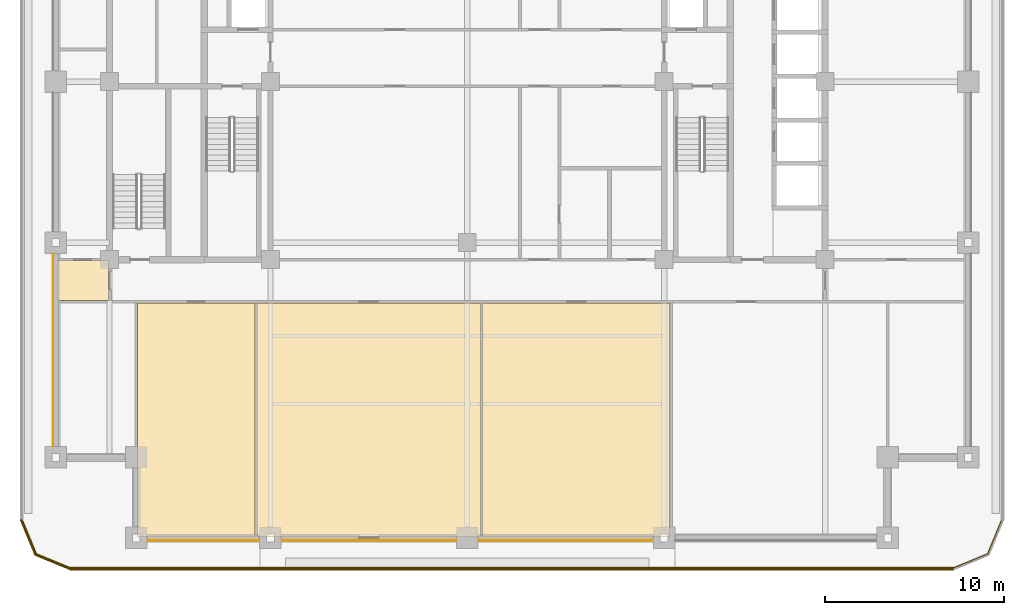
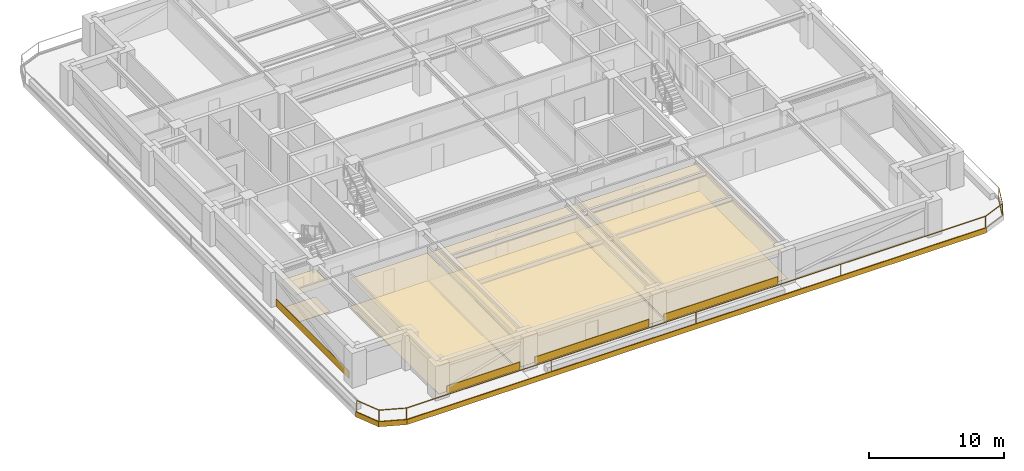
# One storey, part 7 of 13: 15 coverings, 1 railing.
"""IFC4 building model written with IfcOpenShell, lengths in metres."""

from ifc_helpers import new_model, si_unit, direction, frame, frame_2d, origin, origin_2d, place, context, subcontext, project, spatial, polyline, rectangle, outline, extrude, material, layer, layer_set, type_object, element, save


model = new_model("IFC4")

# Units and contexts
model_context = context("Model", 3, precision=1e-05, world=origin(), true_north=direction((0.0, 1.0)))
body_context = subcontext(model_context, "Body", "Model", "MODEL_VIEW")
ifc_project = project(units=[si_unit("LENGTHUNIT", "METRE"), si_unit("AREAUNIT", "SQUARE_METRE"), si_unit("VOLUMEUNIT", "CUBIC_METRE"), si_unit("PLANEANGLEUNIT", "RADIAN"), si_unit("MASSUNIT", "GRAM", prefix="KILO")], contexts=[model_context])

# Site, building, storey
site_placement = place(None, origin())
site = spatial("IfcSite", under=ifc_project, at=site_placement, CompositionType="ELEMENT")
building_placement = place(site_placement, origin())
building = spatial("IfcBuilding", under=site, at=building_placement, Name="Zulmaris Gate Convention Tower", CompositionType="ELEMENT")
storey_placement = place(building_placement, frame((0.0, 0.0, 112.780029296875)))
storey = spatial("IfcBuildingStorey", under=building, at=storey_placement, Name="L28", CompositionType="ELEMENT", Elevation=112.780029296875)

# Coverings
ifc_material_1 = material(Name="Precast concrete C40/50", Category="concrete")
ifc_layer_1 = layer(ifc_material_1, 0.0400390625, Name="Precast concrete C40/50")
ifc_layer_set_1 = layer_set([ifc_layer_1], Name="Precast concrete C40/50")
covering_type_1 = type_object("IfcCoveringType", Name="CLAD-SPANDREL-PRECAST", PredefinedType="CLADDING", material=ifc_layer_set_1)
covering_1_placement = place(storey_placement, frame((-17.8701171875, -25.64990234375, 0.0), z_axis=(0.0, 0.0, 1.0), x_axis=(1.0, 0.0, 0.0)))
element("IfcCovering", 1, at=covering_1_placement, inside=storey, type_object=covering_type_1, Name="CLD-L28-S-0_0", PredefinedType="CLADDING", context=body_context, shape_type="SweptSolid", body=[
    extrude(rectangle(XDim=6.240234375, YDim=0.0400390625, at=frame_2d((3.1201171875, 0.0))), origin(), (0.0, 0.0, 1.0), 0.679931640625),
])
for number, where, z_axis, x_axis, name in (
    (2, (-10.3701171875, -25.64990234375, 0.0), (0.0, 0.0, 1.0), (1.0, 0.0, 0.0), "CLD-L28-S-1_0"),
    (3, (0.6298828125, -25.64990234375, 0.0), (0.0, 0.0, 1.0), (1.0, 0.0, 0.0), "CLD-L28-S-2_0"),
):
    element("IfcCovering", number, at=place(storey_placement, frame(where, z_axis=z_axis, x_axis=x_axis)), inside=storey, type_object=covering_type_1, Name=name, PredefinedType="CLADDING", context=body_context, shape_type="SweptSolid", body=[
        extrude(rectangle(XDim=9.740234375, YDim=0.0400390625, at=frame_2d((4.8701171875, 0.0))), origin(), (0.0, 0.0, 1.0), 0.679931640625),
    ])
covering_2_placement = place(storey_placement, frame((-23.14990234375, -9.6298828125, 0.0), z_axis=(0.0, 0.0, 1.0), x_axis=(0.0, -1.0, 0.0)))
element("IfcCovering", 4, at=covering_2_placement, inside=storey, type_object=covering_type_1, Name="CLD-L28-W-0_0", PredefinedType="CLADDING", context=body_context, shape_type="SweptSolid", body=[
    extrude(rectangle(XDim=10.740234375, YDim=0.0400390625, at=frame_2d((5.3701171875, 0.0))), origin(), (0.0, 0.0, 1.0), 0.679931640625),
])
ifc_material_2 = material(Name="White Glazed Architectural Precast Concrete C40/50", Category="concrete")
ifc_layer_2 = layer(ifc_material_2, 0.080078125, Name="White Glazed Architectural Precast Concrete C40/50")
ifc_layer_set_2 = layer_set([ifc_layer_2], Name="White Glazed Architectural Precast Concrete C40/50")
covering_type_2 = type_object("IfcCoveringType", Name="CLAD-TRAY-FASCIA", PredefinedType="CLADDING", material=ifc_layer_set_2)
covering_3_placement = place(storey_placement, frame((-24.962890625, -24.484619140625, -0.2900390625), z_axis=(0.0, 0.0, 1.0), x_axis=(0.382656984709, -0.923890487046, 0.0)))
element("IfcCovering", 5, at=covering_3_placement, inside=storey, type_object=covering_type_2, Name="FSC-L28-TR-00", PredefinedType="CLADDING", context=body_context, shape_type="SweptSolid", body=[
    extrude(rectangle(XDim=2.14306640625, YDim=0.080078125, at=frame_2d((1.071533203125, 0.0))), origin(), (0.0, 0.0, 1.0), 0.4599609375),
])
covering_4_placement = place(storey_placement, frame((-24.16455078125, -26.44287109375, -0.2900390625), z_axis=(0.0, 0.0, 1.0), x_axis=(0.923873803533, -0.382697263049, 0.0)))
element("IfcCovering", 6, at=covering_4_placement, inside=storey, type_object=covering_type_2, Name="FSC-L28-TR-01", PredefinedType="CLADDING", context=body_context, shape_type="SweptSolid", body=[
    extrude(rectangle(XDim=2.142822265625, YDim=0.080078125, at=frame_2d((1.0712890625, 0.0))), origin(), (0.0, 0.0, 1.0), 0.4599609375),
])
covering_5_placement = place(storey_placement, frame((-22.199951171875, -27.260009765625, -0.2900390625), z_axis=(0.0, 0.0, 1.0), x_axis=(1.0, 0.0, 0.0)))
element("IfcCovering", 7, at=covering_5_placement, inside=storey, type_object=covering_type_2, Name="FSC-L28-TR-02", PredefinedType="CLADDING", context=body_context, shape_type="SweptSolid", body=[
    extrude(rectangle(XDim=49.39990234375, YDim=0.080078125, at=frame_2d((24.699951171875, 0.0))), origin(), (0.0, 0.0, 1.0), 0.4599609375),
])
ifc_material_3 = material(Name="Mineral Fibre Acoustic Ceiling Tile")
ifc_layer_3 = layer(ifc_material_3, 0.02001953125, Name="Mineral Fibre Acoustic Ceiling Tile")
ifc_layer_set_3 = layer_set([ifc_layer_3], Name="Mineral Fibre Acoustic Ceiling Tile")
covering_type_3 = type_object("IfcCoveringType", Name="CLG-ACOUSTIC-600", PredefinedType="CEILING", material=ifc_layer_set_3)
covering_6_placement = place(storey_placement, frame((0.0, 0.0, 2.5048828125)))
element("IfcCovering", 8, at=covering_6_placement, inside=storey, type_object=covering_type_3, Name="CLG-L28-R37", PredefinedType="CEILING", context=body_context, shape_type="SweptSolid", body=[
    extrude(outline(polyline([(-18.43994140625, -25.43994140625), (-11.860107421875, -25.43994140625), (-11.860107421875, -12.360107421875), (-18.43994140625, -12.360107421875), (-18.43994140625, -25.43994140625)])), origin(), (0.0, 0.0, 1.0), 0.02001953125),
])
covering_7_placement = place(storey_placement, frame((0.0, 0.0, 2.5048828125)))
element("IfcCovering", 9, at=covering_7_placement, inside=storey, type_object=covering_type_3, Name="CLG-L28-R38", PredefinedType="CEILING", context=body_context, shape_type="SweptSolid", body=[
    extrude(outline(polyline([(-11.739990234375, -25.43994140625), (0.739990234375, -25.43994140625), (0.739990234375, -12.360107421875), (-11.739990234375, -12.360107421875), (-11.739990234375, -25.43994140625)])), origin(), (0.0, 0.0, 1.0), 0.02001953125),
])
covering_8_placement = place(storey_placement, frame((0.0, 0.0, 2.5048828125)))
element("IfcCovering", 10, at=covering_8_placement, inside=storey, type_object=covering_type_3, Name="CLG-L28-R39", PredefinedType="CEILING", context=body_context, shape_type="SweptSolid", body=[
    extrude(outline(polyline([(0.860107421875, -25.43994140625), (11.340087890625, -25.43994140625), (11.340087890625, -12.360107421875), (0.860107421875, -12.360107421875), (0.860107421875, -25.43994140625)])), origin(), (0.0, 0.0, 1.0), 0.02001953125),
])
covering_9_placement = place(storey_placement, frame((0.0, 0.0, 2.5048828125)))
element("IfcCovering", 11, at=covering_9_placement, inside=storey, type_object=covering_type_3, Name="CLG-L28-R48", PredefinedType="CEILING", context=body_context, shape_type="SweptSolid", body=[
    extrude(outline(polyline([(-22.93994140625, -12.239990234375), (-20.06005859375, -12.239990234375), (-20.06005859375, -10.010009765625), (-22.93994140625, -10.010009765625), (-22.93994140625, -12.239990234375)])), origin(), (0.0, 0.0, 1.0), 0.02001953125),
])
ifc_material_4 = material(Name="Woven Acoustic Wool Carpet Tile")
ifc_layer_4 = layer(ifc_material_4, 0.02001953125, Name="Woven Acoustic Wool Carpet Tile")
ifc_layer_set_4 = layer_set([ifc_layer_4], Name="Woven Acoustic Wool Carpet Tile")
covering_type_4 = type_object("IfcCoveringType", Name="FLR-CARPET-12", PredefinedType="FLOORING", material=ifc_layer_set_4)
covering_10_placement = place(storey_placement, origin())
element("IfcCovering", 12, at=covering_10_placement, inside=storey, type_object=covering_type_4, Name="FLR-L28-R38", PredefinedType="FLOORING", context=body_context, shape_type="SweptSolid", body=[
    extrude(outline(polyline([(-11.739990234375, -25.43994140625), (0.739990234375, -25.43994140625), (0.739990234375, -12.360107421875), (-11.739990234375, -12.360107421875), (-11.739990234375, -25.43994140625)])), origin(), (0.0, 0.0, 1.0), 0.02001953125),
])
covering_11_placement = place(storey_placement, origin())
element("IfcCovering", 13, at=covering_11_placement, inside=storey, type_object=covering_type_4, Name="FLR-L28-R39", PredefinedType="FLOORING", context=body_context, shape_type="SweptSolid", body=[
    extrude(outline(polyline([(0.860107421875, -25.43994140625), (11.340087890625, -25.43994140625), (11.340087890625, -12.360107421875), (0.860107421875, -12.360107421875), (0.860107421875, -25.43994140625)])), origin(), (0.0, 0.0, 1.0), 0.02001953125),
])
covering_12_placement = place(storey_placement, origin())
element("IfcCovering", 14, at=covering_12_placement, inside=storey, type_object=covering_type_4, Name="FLR-L28-R48", PredefinedType="FLOORING", context=body_context, shape_type="SweptSolid", body=[
    extrude(outline(polyline([(-22.93994140625, -12.239990234375), (-20.06005859375, -12.239990234375), (-20.06005859375, -10.010009765625), (-22.93994140625, -10.010009765625), (-22.93994140625, -12.239990234375)])), origin(), (0.0, 0.0, 1.0), 0.02001953125),
])
ifc_material_5 = material(Name="Engineered Teak Parquet Flooring")
ifc_layer_5 = layer(ifc_material_5, 0.02001953125, Name="Engineered Teak Parquet Flooring")
ifc_layer_set_5 = layer_set([ifc_layer_5], Name="Engineered Teak Parquet Flooring")
covering_type_5 = type_object("IfcCoveringType", Name="FLR-TIMBER-18", PredefinedType="FLOORING", material=ifc_layer_set_5)
covering_13_placement = place(storey_placement, origin())
element("IfcCovering", 15, at=covering_13_placement, inside=storey, type_object=covering_type_5, Name="FLR-L28-R37", PredefinedType="FLOORING", context=body_context, shape_type="SweptSolid", body=[
    extrude(outline(polyline([(-18.43994140625, -25.43994140625), (-11.860107421875, -25.43994140625), (-11.860107421875, -12.360107421875), (-18.43994140625, -12.360107421875), (-18.43994140625, -25.43994140625)])), origin(), (0.0, 0.0, 1.0), 0.02001953125),
])

# Railing
ifc_material_6 = material(Name="Laminated Glass and Stainless Steel", Category="steel")
railing_type = type_object("IfcRailingType", Name="RL-BALC-1150", PredefinedType="BALUSTRADE", material=ifc_material_6)
railing_placement = place(storey_placement, frame((-24.8798828125, -24.5, 0.010009765625)))
element("IfcRailing", 16, at=railing_placement, inside=storey, type_object=railing_type, Name="RL-L28-BALC-S", PredefinedType="BALUSTRADE", context=body_context, shape_type="SweptSolid", body=[
    extrude(rectangle(XDim=0.048095703125, YDim=0.048095703125, at=origin_2d()), frame((0.0, 0.0, 1.1259765625), z_axis=(0.382670664694, -0.92388482095, 0.0), x_axis=(0.92388482095, 0.382670664694, 0.0)), (0.0, 0.0, 1.0), 2.051025390625),
    extrude(rectangle(XDim=0.048095703125, YDim=0.048095703125, at=origin_2d()), frame((0.0, 0.0, 0.02392578125), z_axis=(0.382670664694, -0.92388482095, 0.0), x_axis=(0.92388482095, 0.382670664694, 0.0)), (0.0, 0.0, 1.0), 2.051025390625),
    extrude(rectangle(XDim=0.048095703125, YDim=0.048095703125, at=origin_2d()), frame((0.784912109375, -1.89501953125, 1.1259765625), z_axis=(0.92388482095, -0.382670664694, 0.0), x_axis=(0.382670664694, 0.92388482095, 0.0)), (0.0, 0.0, 1.0), 2.051025390625),
    extrude(rectangle(XDim=0.048095703125, YDim=0.048095703125, at=origin_2d()), frame((0.784912109375, -1.89501953125, 0.02392578125), z_axis=(0.92388482095, -0.382670664694, 0.0), x_axis=(0.382670664694, 0.92388482095, 0.0)), (0.0, 0.0, 1.0), 2.051025390625),
    extrude(rectangle(XDim=0.048095703125, YDim=0.048095703125, at=origin_2d()), frame((2.679931640625, -2.679931640625, 1.1259765625), z_axis=(1.0, 0.0, 0.0), x_axis=(0.0, 1.0, 0.0)), (0.0, 0.0, 1.0), 49.39990234375),
    extrude(rectangle(XDim=0.048095703125, YDim=0.048095703125, at=origin_2d()), frame((2.679931640625, -2.679931640625, 0.02392578125), z_axis=(1.0, 0.0, 0.0), x_axis=(0.0, 1.0, 0.0)), (0.0, 0.0, 1.0), 49.39990234375),
    extrude(rectangle(XDim=0.048095703125, YDim=0.048095703125, at=origin_2d()), frame((52.079833984375, -2.679931640625, 1.1259765625), z_axis=(0.92388482095, 0.382670664694, 0.0), x_axis=(-0.382670664694, 0.92388482095, 0.0)), (0.0, 0.0, 1.0), 2.051025390625),
    extrude(rectangle(XDim=0.048095703125, YDim=0.048095703125, at=origin_2d()), frame((52.079833984375, -2.679931640625, 0.02392578125), z_axis=(0.92388482095, 0.382670664694, 0.0), x_axis=(-0.382670664694, 0.92388482095, 0.0)), (0.0, 0.0, 1.0), 2.051025390625),
    extrude(rectangle(XDim=0.048095703125, YDim=0.048095703125, at=origin_2d()), frame((53.974853515625, -1.89501953125, 1.1259765625), z_axis=(0.382670664694, 0.92388482095, 0.0), x_axis=(-0.92388482095, 0.382670664694, 0.0)), (0.0, 0.0, 1.0), 2.051025390625),
    extrude(rectangle(XDim=0.048095703125, YDim=0.048095703125, at=origin_2d()), frame((53.974853515625, -1.89501953125, 0.02392578125), z_axis=(0.382670664694, 0.92388482095, 0.0), x_axis=(-0.92388482095, 0.382670664694, 0.0)), (0.0, 0.0, 1.0), 2.051025390625),
    extrude(rectangle(XDim=0.0419921875, YDim=0.0419921875, at=origin_2d()), origin(), (0.0, 0.0, 1.0), 1.101806640625),
    extrude(rectangle(XDim=0.0419921875, YDim=0.0419921875, at=origin_2d()), frame((0.784912109375, -1.89501953125, 0.0)), (0.0, 0.0, 1.0), 1.101806640625),
    extrude(rectangle(XDim=0.0419921875, YDim=0.0419921875, at=origin_2d()), frame((2.679931640625, -2.679931640625, 0.0)), (0.0, 0.0, 1.0), 1.101806640625),
    extrude(rectangle(XDim=0.0419921875, YDim=0.0419921875, at=origin_2d()), frame((15.02978515625, -2.679931640625, 0.0)), (0.0, 0.0, 1.0), 1.101806640625),
    extrude(rectangle(XDim=0.0419921875, YDim=0.0419921875, at=origin_2d()), frame((27.3798828125, -2.679931640625, 0.0)), (0.0, 0.0, 1.0), 1.101806640625),
    extrude(rectangle(XDim=0.0419921875, YDim=0.0419921875, at=origin_2d()), frame((39.72998046875, -2.679931640625, 0.0)), (0.0, 0.0, 1.0), 1.101806640625),
    extrude(rectangle(XDim=0.0419921875, YDim=0.0419921875, at=origin_2d()), frame((52.079833984375, -2.679931640625, 0.0)), (0.0, 0.0, 1.0), 1.101806640625),
    extrude(rectangle(XDim=0.0419921875, YDim=0.0419921875, at=origin_2d()), frame((53.974853515625, -1.89501953125, 0.0)), (0.0, 0.0, 1.0), 1.101806640625),
    extrude(rectangle(XDim=0.0419921875, YDim=0.0419921875, at=origin_2d()), frame((54.759765625, 0.0, 0.0)), (0.0, 0.0, 1.0), 1.101806640625),
])

save(model, "model.ifc")
